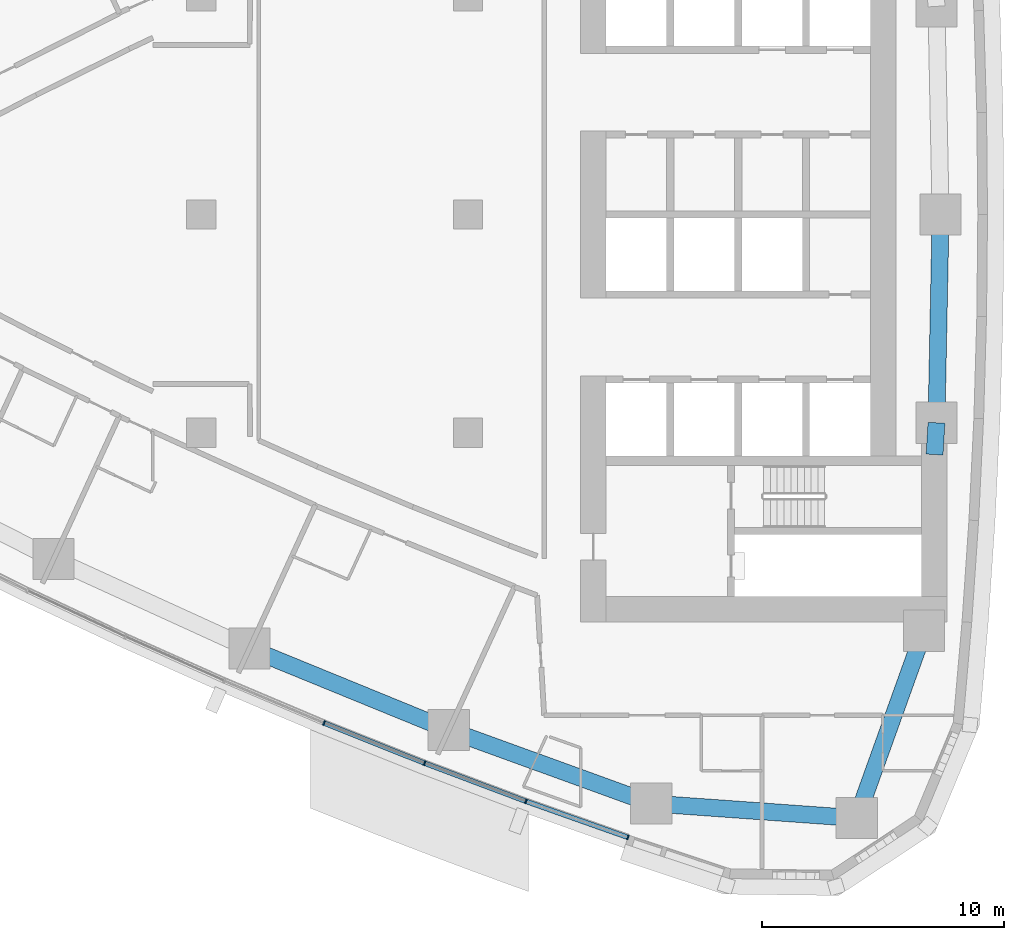
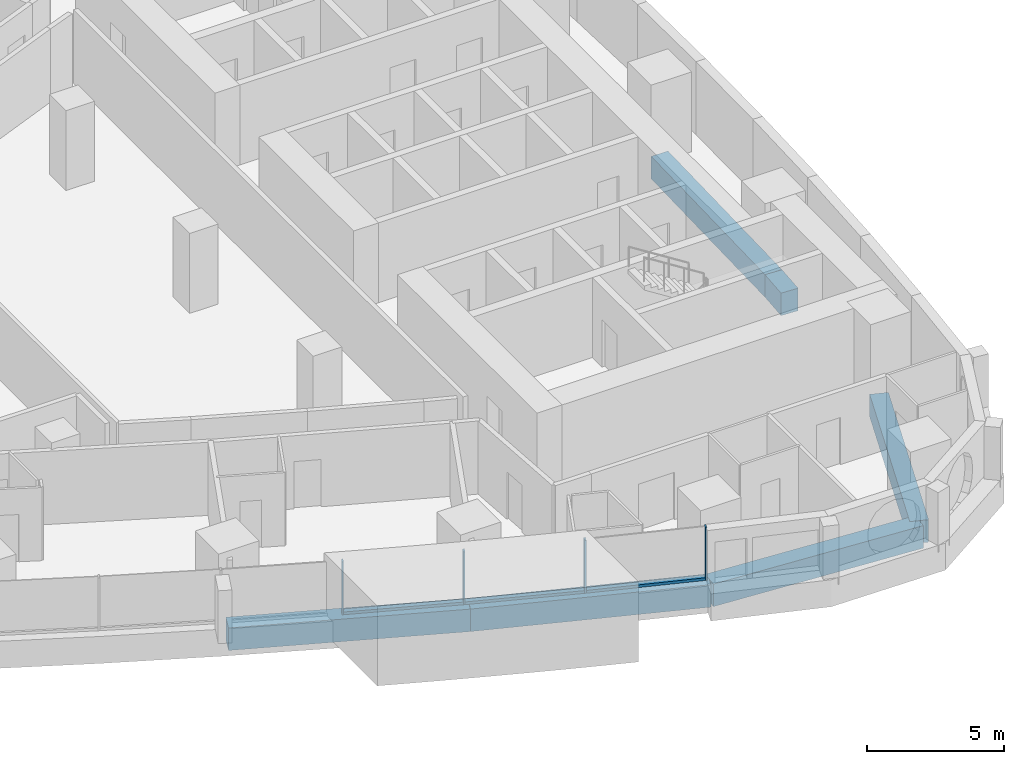
# One storey, part 4 of 17: 7 members, 6 beams, 2 elements without a shape of their own.
"""IFC4 building model written with IfcOpenShell, lengths in metres."""

from ifc_helpers import new_model, si_unit, direction, frame, origin, origin_2d, place, context, subcontext, project, spatial, rectangle, extrude, material, layer, layer_set, material_profile, profile_set, type_object, element, aggregate, save


model = new_model("IFC4")

# Units and contexts
model_context = context("Model", 3, precision=1e-05, world=origin(), true_north=direction((0.0, 1.0)))
body_context = subcontext(model_context, "Body", "Model", "MODEL_VIEW")
ifc_project = project(units=[si_unit("LENGTHUNIT", "METRE"), si_unit("AREAUNIT", "SQUARE_METRE"), si_unit("VOLUMEUNIT", "CUBIC_METRE"), si_unit("PLANEANGLEUNIT", "RADIAN"), si_unit("MASSUNIT", "GRAM", prefix="KILO")], contexts=[model_context])

# Site, building, storey
site_placement = place(None, origin())
site = spatial("IfcSite", under=ifc_project, at=site_placement, CompositionType="ELEMENT")
building_placement = place(site_placement, origin())
building = spatial("IfcBuilding", under=site, at=building_placement, Name="Ostrand Prow Hotel Tower", CompositionType="ELEMENT")
storey_placement = place(building_placement, frame((0.0, 0.0, 95.550048828125)))
storey = spatial("IfcBuildingStorey", under=building, at=storey_placement, Name="L22", CompositionType="ELEMENT", Elevation=95.550048828125)

# Beams
ifc_material_1 = material(Name="Concrete C80/95", Category="concrete")
ifc_material_profile_1 = material_profile(ifc_material_1, rectangle(XDim=0.699951171875, YDim=1.0, at=origin_2d()), Name="RC 700x1000")
ifc_profile_set_1 = profile_set([ifc_material_profile_1], Name="Concrete C80/95")
beam_type = type_object("IfcBeamType", Name="Edge beam 700x1000 C80/95", PredefinedType="SPANDREL", material=ifc_profile_set_1)
beam_1_placement = place(storey_placement, frame((35.98828125, -17.901611328125, -0.800048828125), z_axis=(0.925612172894, -0.378473387955, 0.0), x_axis=(0.378473387955, 0.925612172894, 0.0)))
element("IfcBeam", 1, at=beam_1_placement, inside=storey, type_object=beam_type, Name="Edge beam S4-S5", PredefinedType="SPANDREL", context=body_context, shape_type="SweptSolid", body=[
    extrude(rectangle(XDim=0.699951171875, YDim=1.0, at=origin_2d()), origin(), (0.0, 0.0, 1.0), 8.88330078125),
])
beam_2_placement = place(storey_placement, frame((44.210693359375, -21.263671875, -0.800048828125), z_axis=(0.940062739321, -0.341001533927, 0.0), x_axis=(0.341001533927, 0.940062739321, 0.0)))
element("IfcBeam", 2, at=beam_2_placement, inside=storey, type_object=beam_type, Name="Edge beam S5-S6", PredefinedType="SPANDREL", context=body_context, shape_type="SweptSolid", body=[
    extrude(rectangle(XDim=0.699951171875, YDim=1.0, at=origin_2d()), origin(), (0.0, 0.0, 1.0), 8.883544921875),
])
beam_3_placement = place(storey_placement, frame((52.561767578125, -24.29296875, -0.800048828125), z_axis=(0.99747195063, -0.071061295414, 0.0), x_axis=(0.071061295414, 0.99747195063, 0.0)))
element("IfcBeam", 3, at=beam_3_placement, inside=storey, type_object=beam_type, Name="Edge beam S6-SE", PredefinedType="SPANDREL", context=body_context, shape_type="SweptSolid", body=[
    extrude(rectangle(XDim=0.699951171875, YDim=1.0, at=origin_2d()), origin(), (0.0, 0.0, 1.0), 8.499755859375),
])
beam_4_placement = place(storey_placement, frame((61.0400390625, -24.89697265625, -0.800048828125), z_axis=(0.337815484063, 0.941212355809, 0.0), x_axis=(-0.941212355809, 0.337815484063, 0.0)))
element("IfcBeam", 4, at=beam_4_placement, inside=storey, type_object=beam_type, Name="Edge beam SE-B1", PredefinedType="SPANDREL", context=body_context, shape_type="SweptSolid", body=[
    extrude(rectangle(XDim=0.699951171875, YDim=1.0, at=origin_2d()), origin(), (0.0, 0.0, 1.0), 8.21630859375),
])
beam_5_placement = place(storey_placement, frame((64.25048828125, -9.89990234375, -0.800048828125), z_axis=(0.059658953766, 0.998218818314, 0.0), x_axis=(-0.998218818314, 0.059658953766, 0.0)))
element("IfcBeam", 5, at=beam_5_placement, inside=storey, type_object=beam_type, Name="Edge beam B1-B2", PredefinedType="SPANDREL", context=body_context, shape_type="SweptSolid", body=[
    extrude(rectangle(XDim=0.699951171875, YDim=1.0, at=origin_2d()), origin(), (0.0, 0.0, 1.0), 1.313720703125),
])
beam_6_placement = place(storey_placement, frame((64.328857421875, -8.588623046875, -0.800048828125), z_axis=(0.019922705812, 0.9998015232, 0.0), x_axis=(-0.9998015232, 0.019922705812, 0.0)))
element("IfcBeam", 6, at=beam_6_placement, inside=storey, type_object=beam_type, Name="Edge beam B2-B3", PredefinedType="SPANDREL", context=body_context, shape_type="SweptSolid", body=[
    extrude(rectangle(XDim=0.699951171875, YDim=1.0, at=origin_2d()), origin(), (0.0, 0.0, 1.0), 8.59033203125),
])

# Curtain wall, members
ifc_material_2 = material(Name="Insulated glass in bronze anodised frame", Category="glass")
ifc_layer = layer(ifc_material_2, 0.199951171875)
ifc_layer_set = layer_set([ifc_layer], Name="Insulated glass in bronze anodised frame")
curtain_wall_type = type_object("IfcCurtainWallType", Name="Strip curtain wall, fritted glass over bronze spandrel", PredefinedType="NOTDEFINED", material=ifc_layer_set)
curtain_wall_1_placement = place(storey_placement, origin())
curtain_wall_1 = element("IfcCurtainWall", 7, at=curtain_wall_1_placement, inside=storey, type_object=curtain_wall_type, Name="CW1 run CWS4", PredefinedType="NOTDEFINED")
ifc_material_3 = material(Name="Bronze anodised aluminium", Category="aluminium")
ifc_material_profile_2 = material_profile(ifc_material_3, rectangle(XDim=0.199951171875, YDim=0.06005859375, at=origin_2d()), Name="Mullion 60x200 bronze anodised aluminium")
ifc_profile_set_2 = profile_set([ifc_material_profile_2], Name="Bronze anodised aluminium")
member_type_1 = type_object("IfcMemberType", Name="Mullion 60x200 bronze anodised aluminium", PredefinedType="MULLION", material=ifc_profile_set_2)
member_1_placement = place(storey_placement, frame((39.06396484375, -20.97265625, 0.89990234375), z_axis=(0.0, 0.0, 1.0), x_axis=(0.370982121315, 0.928640008649, 0.0)))
member_1 = element("IfcMember", 8, at=member_1_placement, type_object=member_type_1, Name="CW1 mullion 2", PredefinedType="MULLION", context=body_context, shape_type="SweptSolid", body=[
    extrude(rectangle(XDim=0.199951171875, YDim=0.06005859375, at=origin_2d()), origin(), (0.0, 0.0, 1.0), 2.35009765625),
])
member_2_placement = place(storey_placement, frame((43.211181640625, -22.62939453125, 0.89990234375), z_axis=(0.0, 0.0, 1.0), x_axis=(0.370982121315, 0.928640008649, 0.0)))
member_2 = element("IfcMember", 9, at=member_2_placement, type_object=member_type_1, Name="CW1 mullion 3", PredefinedType="MULLION", context=body_context, shape_type="SweptSolid", body=[
    extrude(rectangle(XDim=0.199951171875, YDim=0.06005859375, at=origin_2d()), origin(), (0.0, 0.0, 1.0), 2.35009765625),
])

curtain_wall_2_placement = place(storey_placement, origin())
curtain_wall_2 = element("IfcCurtainWall", 10, at=curtain_wall_2_placement, inside=storey, type_object=curtain_wall_type, Name="CW1 run CWS5", PredefinedType="NOTDEFINED")
member_3_placement = place(storey_placement, frame((47.390869140625, -24.202880859375, 0.89990234375), z_axis=(0.0, 0.0, 1.0), x_axis=(0.333495894542, 0.942751551748, 0.0)))
member_3 = element("IfcMember", 11, at=member_3_placement, type_object=member_type_1, Name="CW1 mullion 2", PredefinedType="MULLION", context=body_context, shape_type="SweptSolid", body=[
    extrude(rectangle(XDim=0.199951171875, YDim=0.06005859375, at=origin_2d()), origin(), (0.0, 0.0, 1.0), 2.35009765625),
])
member_4_placement = place(storey_placement, frame((51.601318359375, -25.692138671875, 0.89990234375), z_axis=(0.0, 0.0, 1.0), x_axis=(0.333495894542, 0.942751551748, 0.0)))
member_4 = element("IfcMember", 12, at=member_4_placement, type_object=member_type_1, Name="CW1 mullion 3", PredefinedType="MULLION", context=body_context, shape_type="SweptSolid", body=[
    extrude(rectangle(XDim=0.199951171875, YDim=0.06005859375, at=origin_2d()), origin(), (0.0, 0.0, 1.0), 2.35009765625),
])

# Member
ifc_material_4 = material(Name="Bronze anodised aluminium", Category="aluminium")
ifc_material_profile_3 = material_profile(ifc_material_4, rectangle(XDim=0.199951171875, YDim=0.1201171875, at=origin_2d()), Name="Transom 120x200 bronze anodised aluminium")
ifc_profile_set_3 = profile_set([ifc_material_profile_3], Name="Bronze anodised aluminium")
member_type_2 = type_object("IfcMemberType", Name="Transom 120x200 bronze anodised aluminium", PredefinedType="USERDEFINED", material=ifc_profile_set_3)
member_5_placement = place(storey_placement, frame((39.091796875, -20.983642578125, 0.9599609375), z_axis=(0.928621833209, -0.371027614724, 0.0), x_axis=(0.371027614724, 0.928621833209, 0.0)))
member_5 = element("IfcMember", 13, at=member_5_placement, type_object=member_type_2, Name="CW1 transom 2.1", ObjectType="TRANSOM", PredefinedType="USERDEFINED", context=body_context, shape_type="SweptSolid", body=[
    extrude(rectangle(XDim=0.199951171875, YDim=0.1201171875, at=origin_2d()), origin(), (0.0, 0.0, 1.0), 4.406005859375),
])

aggregate(curtain_wall_1, [member_1, member_2, member_5])

member_6_placement = place(storey_placement, frame((43.2392578125, -22.639892578125, 0.9599609375), z_axis=(0.935868398429, -0.352349742191, 0.0), x_axis=(0.352349742191, 0.935868398429, 0.0)))
member_6 = element("IfcMember", 14, at=member_6_placement, type_object=member_type_2, Name="CW1 transom 1.1", ObjectType="TRANSOM", PredefinedType="USERDEFINED", context=body_context, shape_type="SweptSolid", body=[
    extrude(rectangle(XDim=0.199951171875, YDim=0.1201171875, at=origin_2d()), origin(), (0.0, 0.0, 1.0), 4.406005859375),
])

member_7_placement = place(storey_placement, frame((47.419189453125, -24.212890625, 0.9599609375), z_axis=(0.942763014139, -0.333463490013, 0.0), x_axis=(0.333463490013, 0.942763014139, 0.0)))
member_7 = element("IfcMember", 15, at=member_7_placement, type_object=member_type_2, Name="CW1 transom 2.1", ObjectType="TRANSOM", PredefinedType="USERDEFINED", context=body_context, shape_type="SweptSolid", body=[
    extrude(rectangle(XDim=0.199951171875, YDim=0.1201171875, at=origin_2d()), origin(), (0.0, 0.0, 1.0), 4.406005859375),
])

aggregate(curtain_wall_2, [member_3, member_4, member_6, member_7])

save(model, "model.ifc")
